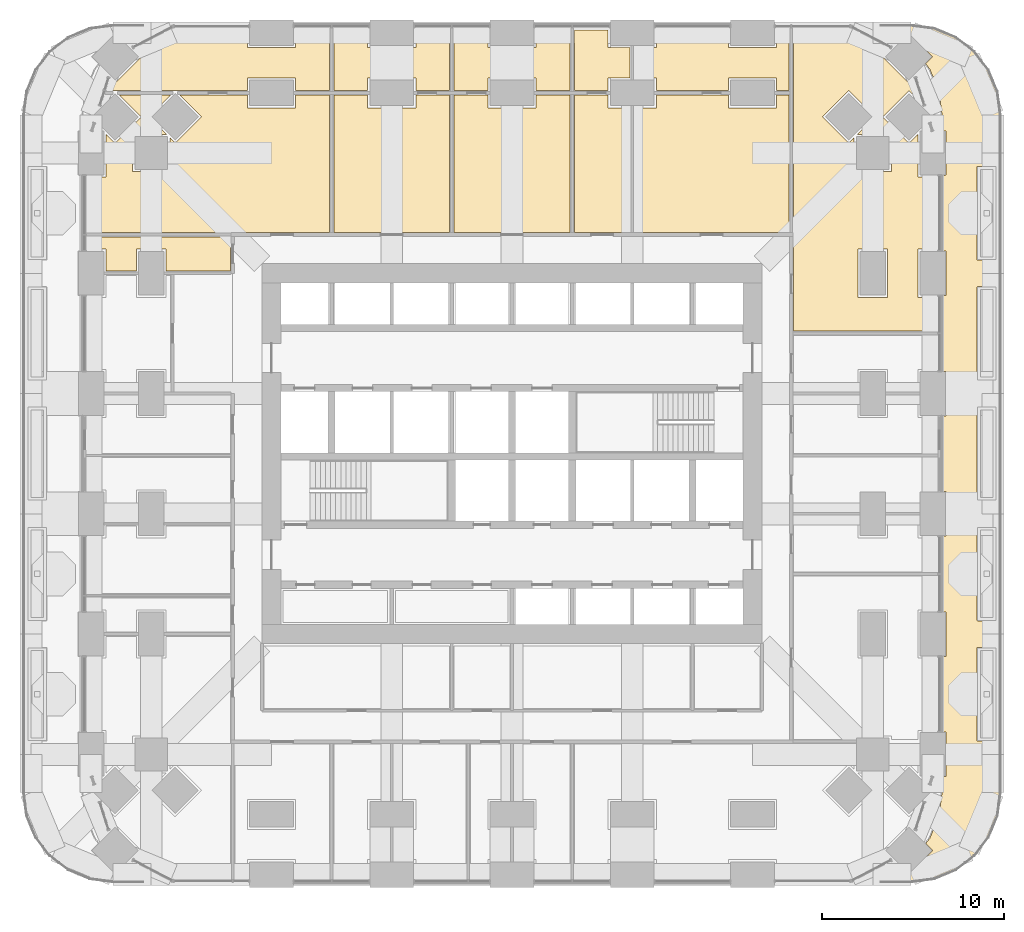
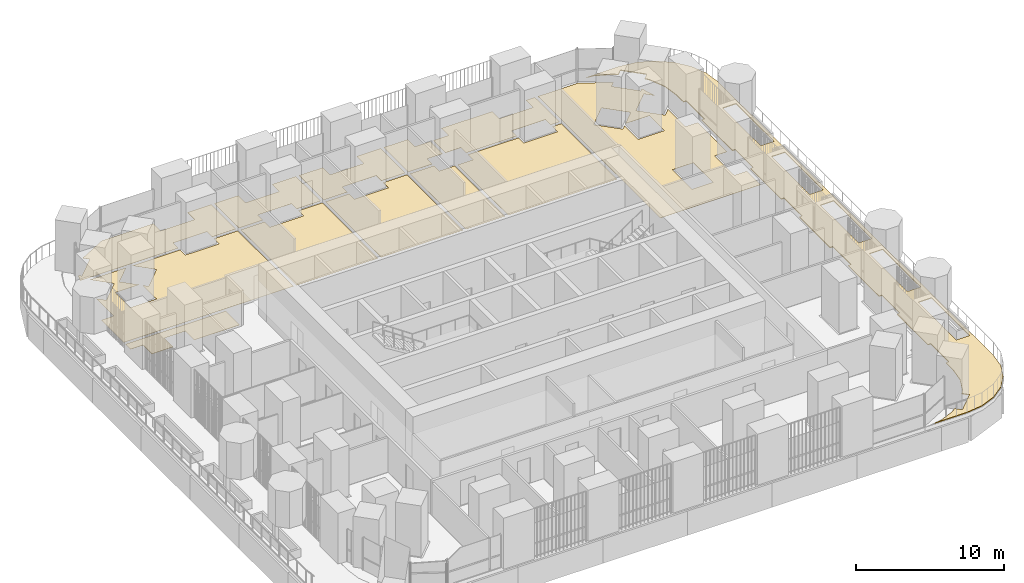
# One storey, part 26 of 27: 13 coverings.
"""IFC4 building model written with IfcOpenShell, lengths in metres."""

from ifc_helpers import new_model, si_unit, direction, frame, origin, place, context, subcontext, project, spatial, polyline, outline, extrude, material, layer, layer_set, type_object, element, save


model = new_model("IFC4")

# Units and contexts
model_context = context("Model", 3, precision=1e-05, world=origin(), true_north=direction((0.0, 1.0)))
body_context = subcontext(model_context, "Body", "Model", "MODEL_VIEW")
ifc_project = project(units=[si_unit("LENGTHUNIT", "METRE"), si_unit("AREAUNIT", "SQUARE_METRE"), si_unit("VOLUMEUNIT", "CUBIC_METRE"), si_unit("PLANEANGLEUNIT", "RADIAN"), si_unit("MASSUNIT", "GRAM", prefix="KILO")], contexts=[model_context])

# Site, building, storey
site_placement = place(None, origin())
site = spatial("IfcSite", under=ifc_project, at=site_placement, CompositionType="ELEMENT")
building_placement = place(site_placement, origin())
building = spatial("IfcBuilding", under=site, at=building_placement, Name="Cobogo Forest Laboratory Tower", CompositionType="ELEMENT")
storey_placement = place(building_placement, frame((0.0, 0.0, 82.199951171875)))
storey = spatial("IfcBuildingStorey", under=building, at=storey_placement, Name="L18", CompositionType="ELEMENT", Elevation=82.199951171875)

# Coverings
ifc_material_1 = material(Name="Carpet tile on raised access floor", Category="flooring")
ifc_layer_1 = layer(ifc_material_1, 0.008056640625)
ifc_layer_set_1 = layer_set([ifc_layer_1], Name="CT1 carpet tile floor 8")
covering_type_1 = type_object("IfcCoveringType", Name="CT1 carpet tile floor 8", PredefinedType="FLOORING", material=ifc_layer_set_1)
covering_1_placement = place(storey_placement, origin())
element("IfcCovering", 1, at=covering_1_placement, inside=storey, type_object=covering_type_1, Name="Carpet floor L18-16", PredefinedType="FLOORING", context=body_context, shape_type="SweptSolid", body=[
    extrude(outline(polyline([(41.844970703125, 46.35009765625), (44.95068359375, 46.35009765625), (47.08740234375, 45.22998046875), (46.739501953125, 44.882080078125), (48.181884765625, 43.439453125), (48.368896484375, 43.626220703125), (48.732666015625, 42.4736328125), (48.181884765625, 43.0244140625), (46.739501953125, 41.58203125), (48.181884765625, 40.139404296875), (48.679931640625, 40.637451171875), (48.679931640625, 38.280029296875), (49.64990234375, 38.280029296875), (49.64990234375, 34.320068359375), (48.679931640625, 34.320068359375), (48.679931640625, 31.679931640625), (49.64990234375, 31.679931640625), (49.64990234375, 29.820068359375), (41.844970703125, 29.820068359375), (41.844970703125, 46.35009765625)]), holes=[polyline([(43.439453125, 41.58203125), (44.882080078125, 40.139404296875), (45.179931640625, 40.4375), (45.179931640625, 38.580078125), (47.219970703125, 38.580078125), (47.219970703125, 40.6201171875), (45.362548828125, 40.6201171875), (46.324462890625, 41.58203125), (44.882080078125, 43.0244140625), (43.439453125, 41.58203125)]), polyline([(47.02001953125, 31.679931640625), (47.02001953125, 34.320068359375), (45.3798828125, 34.320068359375), (45.3798828125, 31.679931640625), (47.02001953125, 31.679931640625)])]), origin(), (0.0, 0.0, 1.0), 0.008056640625),
])
covering_2_placement = place(storey_placement, origin())
element("IfcCovering", 2, at=covering_2_placement, inside=storey, type_object=covering_type_1, Name="Carpet floor L18-18", PredefinedType="FLOORING", context=body_context, shape_type="SweptSolid", body=[
    extrude(outline(polyline([(14.52001953125, 43.02001953125), (14.52001953125, 43.719970703125), (11.8798828125, 43.719970703125), (11.8798828125, 43.02001953125), (4.23974609375, 43.02001953125), (4.43115234375, 43.626220703125), (4.617919921875, 43.439453125), (6.060546875, 44.882080078125), (5.712646484375, 45.22998046875), (7.84912109375, 46.35009765625), (11.8798828125, 46.35009765625), (11.8798828125, 45.3798828125), (14.52001953125, 45.3798828125), (14.52001953125, 46.35009765625), (16.3798828125, 46.35009765625), (16.3798828125, 43.02001953125), (14.52001953125, 43.02001953125)])), origin(), (0.0, 0.0, 1.0), 0.008056640625),
])
covering_3_placement = place(storey_placement, origin())
element("IfcCovering", 3, at=covering_3_placement, inside=storey, type_object=covering_type_1, Name="Carpet floor L18-20", PredefinedType="FLOORING", context=body_context, shape_type="SweptSolid", body=[
    extrude(outline(polyline([(21.1201171875, 43.02001953125), (21.1201171875, 43.719970703125), (18.47998046875, 43.719970703125), (18.47998046875, 43.02001953125), (16.6201171875, 43.02001953125), (16.6201171875, 46.35009765625), (18.47998046875, 46.35009765625), (18.47998046875, 45.3798828125), (21.1201171875, 45.3798828125), (21.1201171875, 46.35009765625), (22.97998046875, 46.35009765625), (22.97998046875, 43.02001953125), (21.1201171875, 43.02001953125)])), origin(), (0.0, 0.0, 1.0), 0.008056640625),
])
covering_4_placement = place(storey_placement, origin())
element("IfcCovering", 4, at=covering_4_placement, inside=storey, type_object=covering_type_1, Name="Carpet floor L18-22", PredefinedType="FLOORING", context=body_context, shape_type="SweptSolid", body=[
    extrude(outline(polyline([(27.719970703125, 43.02001953125), (27.719970703125, 43.719970703125), (25.080078125, 43.719970703125), (25.080078125, 43.02001953125), (23.219970703125, 43.02001953125), (23.219970703125, 46.35009765625), (25.080078125, 46.35009765625), (25.080078125, 45.3798828125), (27.719970703125, 45.3798828125), (27.719970703125, 46.35009765625), (29.580078125, 46.35009765625), (29.580078125, 43.02001953125), (27.719970703125, 43.02001953125)])), origin(), (0.0, 0.0, 1.0), 0.008056640625),
])
covering_5_placement = place(storey_placement, origin())
element("IfcCovering", 5, at=covering_5_placement, inside=storey, type_object=covering_type_1, Name="Carpet floor L18-24", PredefinedType="FLOORING", context=body_context, shape_type="SweptSolid", body=[
    extrude(outline(polyline([(29.820068359375, 43.02001953125), (29.820068359375, 46.35009765625), (31.679931640625, 46.35009765625), (31.679931640625, 45.3798828125), (32.8798828125, 45.3798828125), (32.8798828125, 43.719970703125), (31.679931640625, 43.719970703125), (31.679931640625, 43.02001953125), (29.820068359375, 43.02001953125)])), origin(), (0.0, 0.0, 1.0), 0.008056640625),
])
covering_6_placement = place(storey_placement, origin())
element("IfcCovering", 6, at=covering_6_placement, inside=storey, type_object=covering_type_1, Name="Carpet floor L18-26", PredefinedType="FLOORING", context=body_context, shape_type="SweptSolid", body=[
    extrude(outline(polyline([(40.919921875, 43.02001953125), (40.919921875, 43.719970703125), (38.280029296875, 43.719970703125), (38.280029296875, 43.02001953125), (34.320068359375, 43.02001953125), (34.320068359375, 43.719970703125), (33.1201171875, 43.719970703125), (33.1201171875, 45.3798828125), (34.320068359375, 45.3798828125), (34.320068359375, 46.35009765625), (38.280029296875, 46.35009765625), (38.280029296875, 45.3798828125), (40.919921875, 45.3798828125), (40.919921875, 46.35009765625), (41.60498046875, 46.35009765625), (41.60498046875, 43.02001953125), (40.919921875, 43.02001953125)])), origin(), (0.0, 0.0, 1.0), 0.008056640625),
])
covering_7_placement = place(storey_placement, origin())
element("IfcCovering", 7, at=covering_7_placement, inside=storey, type_object=covering_type_1, Name="Carpet floor L18-33", PredefinedType="FLOORING", context=body_context, shape_type="SweptSolid", body=[
    extrude(outline(polyline([(10.955078125, 33.1201171875), (7.419921875, 33.1201171875), (7.419921875, 34.320068359375), (5.780029296875, 34.320068359375), (5.780029296875, 33.1201171875), (4.1201171875, 33.1201171875), (4.1201171875, 34.320068359375), (3.14990234375, 34.320068359375), (3.14990234375, 35.0048828125), (10.955078125, 35.0048828125), (10.955078125, 33.1201171875)])), origin(), (0.0, 0.0, 1.0), 0.008056640625),
])
ifc_material_2 = material(Name="Epoxy resin flooring", Category="flooring")
ifc_layer_2 = layer(ifc_material_2, 0.00390625)
ifc_layer_set_2 = layer_set([ifc_layer_2], Name="LF1 epoxy laboratory floor 4")
covering_type_2 = type_object("IfcCoveringType", Name="LF1 epoxy laboratory floor 4", PredefinedType="FLOORING", material=ifc_layer_set_2)
covering_8_placement = place(storey_placement, origin())
element("IfcCovering", 8, at=covering_8_placement, inside=storey, type_object=covering_type_2, Name="Epoxy laboratory floor L18-17", PredefinedType="FLOORING", context=body_context, shape_type="SweptSolid", body=[
    extrude(outline(polyline([(4.1201171875, 40.637451171875), (4.617919921875, 40.139404296875), (6.060546875, 41.58203125), (4.862548828125, 42.780029296875), (7.673583984375, 42.780029296875), (6.4755859375, 41.58203125), (7.4375, 40.6201171875), (5.580078125, 40.6201171875), (5.580078125, 38.580078125), (7.6201171875, 38.580078125), (7.6201171875, 40.4375), (7.91796875, 40.139404296875), (9.360595703125, 41.58203125), (8.16259765625, 42.780029296875), (11.8798828125, 42.780029296875), (11.8798828125, 42.080078125), (14.52001953125, 42.080078125), (14.52001953125, 42.780029296875), (16.3798828125, 42.780029296875), (16.3798828125, 35.2451171875), (3.14990234375, 35.2451171875), (3.14990234375, 38.280029296875), (4.1201171875, 38.280029296875), (4.1201171875, 40.637451171875)])), origin(), (0.0, 0.0, 1.0), 0.004150390625),
])
covering_9_placement = place(storey_placement, origin())
element("IfcCovering", 9, at=covering_9_placement, inside=storey, type_object=covering_type_2, Name="Epoxy laboratory floor L18-19", PredefinedType="FLOORING", context=body_context, shape_type="SweptSolid", body=[
    extrude(outline(polyline([(16.6201171875, 42.780029296875), (18.47998046875, 42.780029296875), (18.47998046875, 42.080078125), (21.1201171875, 42.080078125), (21.1201171875, 42.780029296875), (22.97998046875, 42.780029296875), (22.97998046875, 35.2451171875), (16.6201171875, 35.2451171875), (16.6201171875, 42.780029296875)])), origin(), (0.0, 0.0, 1.0), 0.004150390625),
])
covering_10_placement = place(storey_placement, origin())
element("IfcCovering", 10, at=covering_10_placement, inside=storey, type_object=covering_type_2, Name="Epoxy laboratory floor L18-21", PredefinedType="FLOORING", context=body_context, shape_type="SweptSolid", body=[
    extrude(outline(polyline([(23.219970703125, 42.780029296875), (25.080078125, 42.780029296875), (25.080078125, 42.080078125), (27.719970703125, 42.080078125), (27.719970703125, 42.780029296875), (29.580078125, 42.780029296875), (29.580078125, 35.2451171875), (23.219970703125, 35.2451171875), (23.219970703125, 42.780029296875)])), origin(), (0.0, 0.0, 1.0), 0.004150390625),
])
covering_11_placement = place(storey_placement, origin())
element("IfcCovering", 11, at=covering_11_placement, inside=storey, type_object=covering_type_2, Name="Epoxy laboratory floor L18-23", PredefinedType="FLOORING", context=body_context, shape_type="SweptSolid", body=[
    extrude(outline(polyline([(29.820068359375, 42.780029296875), (31.679931640625, 42.780029296875), (31.679931640625, 42.080078125), (32.8798828125, 42.080078125), (32.8798828125, 35.2451171875), (29.820068359375, 35.2451171875), (29.820068359375, 42.780029296875)])), origin(), (0.0, 0.0, 1.0), 0.004150390625),
])
covering_12_placement = place(storey_placement, origin())
element("IfcCovering", 12, at=covering_12_placement, inside=storey, type_object=covering_type_2, Name="Epoxy laboratory floor L18-25", PredefinedType="FLOORING", context=body_context, shape_type="SweptSolid", body=[
    extrude(outline(polyline([(33.1201171875, 42.080078125), (34.320068359375, 42.080078125), (34.320068359375, 42.780029296875), (38.280029296875, 42.780029296875), (38.280029296875, 42.080078125), (40.919921875, 42.080078125), (40.919921875, 42.780029296875), (41.60498046875, 42.780029296875), (41.60498046875, 35.2451171875), (33.1201171875, 35.2451171875), (33.1201171875, 42.080078125)])), origin(), (0.0, 0.0, 1.0), 0.004150390625),
])
ifc_material_3 = material(Name="Bituminous waterproofing, protection board and paving", Category="roofing")
ifc_layer_3 = layer(ifc_material_3, 0.06005859375)
ifc_layer_set_3 = layer_set([ifc_layer_3], Name="RF1 terrace and roof garden build-up 60")
covering_type_3 = type_object("IfcCoveringType", Name="RF1 terrace and roof garden build-up 60", PredefinedType="ROOFING", material=ifc_layer_set_3)
covering_13_placement = place(storey_placement, origin())
element("IfcCovering", 13, at=covering_13_placement, inside=storey, type_object=covering_type_3, Name="Terrace build-up TER-E L18", PredefinedType="ROOFING", context=body_context, shape_type="SweptSolid", body=[
    extrude(outline(polyline([(49.568115234375, 46.4326171875), (50.749755859375, 45.943115234375), (51.764404296875, 45.16455078125), (52.543212890625, 44.14990234375), (53.03271484375, 42.968017578125), (53.199951171875, 41.69677734375), (53.199951171875, 4.503173828125), (53.03271484375, 3.23193359375), (52.543212890625, 2.05029296875), (51.764404296875, 1.035400390625), (50.749755859375, 0.2568359375), (49.568115234375, -0.232666015625), (48.296630859375, -0.39990234375), (45.762939453125, -0.39990234375), (46.294189453125, -0.330078125), (47.500244140625, 0.16943359375), (47.799560546875, 0.399169921875), (48.167724609375, 0.031005859375), (48.177978515625, 0.025634765625), (48.189697265625, 0.02685546875), (48.196044921875, 0.031005859375), (49.47021484375, 1.305419921875), (49.473876953125, 1.312255859375), (49.474609375, 1.320068359375), (49.47314453125, 1.32568359375), (49.468994140625, 1.332275390625), (49.100830078125, 1.700439453125), (49.33056640625, 1.999755859375), (49.830078125, 3.205810546875), (50.0, 4.496826171875), (50.0, 5.3798828125), (50.201904296875, 5.380126953125), (50.20947265625, 5.38232421875), (50.214111328125, 5.3857421875), (50.218505859375, 5.392333984375), (50.219970703125, 5.39794921875), (50.219970703125, 7.802001953125), (50.218505859375, 7.8076171875), (50.214111328125, 7.814208984375), (50.20947265625, 7.817626953125), (50.201904296875, 7.81982421875), (50.0, 7.820068359375), (50.0, 11.97998046875), (50.201904296875, 11.97998046875), (50.20947265625, 11.982421875), (50.215576171875, 11.9873046875), (50.218505859375, 11.992431640625), (50.219970703125, 12.0), (50.219970703125, 14.40185546875), (50.218505859375, 14.40771484375), (50.214111328125, 14.4140625), (50.20947265625, 14.417724609375), (50.201904296875, 14.419921875), (50.0, 14.419921875), (50.0, 18.580078125), (50.201904296875, 18.580078125), (50.20947265625, 18.582275390625), (50.215576171875, 18.58740234375), (50.218505859375, 18.59228515625), (50.219970703125, 18.60009765625), (50.219970703125, 21.001953125), (50.217529296875, 21.009521484375), (50.214111328125, 21.01416015625), (50.20947265625, 21.017578125), (50.201904296875, 21.02001953125), (50.0, 21.02001953125), (50.0, 25.179931640625), (50.201904296875, 25.18017578125), (50.20947265625, 25.182373046875), (50.215576171875, 25.187255859375), (50.218505859375, 25.1923828125), (50.219970703125, 25.199951171875), (50.219970703125, 27.60205078125), (50.217529296875, 27.609375), (50.214111328125, 27.6142578125), (50.20947265625, 27.61767578125), (50.201904296875, 27.619873046875), (50.0, 27.6201171875), (50.0, 31.780029296875), (50.201904296875, 31.780029296875), (50.20947265625, 31.782470703125), (50.215576171875, 31.787353515625), (50.218505859375, 31.792236328125), (50.219970703125, 31.800048828125), (50.219970703125, 34.201904296875), (50.217529296875, 34.20947265625), (50.214111328125, 34.214111328125), (50.20947265625, 34.217529296875), (50.201904296875, 34.219970703125), (50.0, 34.219970703125), (50.0, 38.3798828125), (50.201904296875, 38.380126953125), (50.20947265625, 38.38232421875), (50.214111328125, 38.3857421875), (50.217529296875, 38.390625), (50.219970703125, 38.39794921875), (50.219970703125, 40.802001953125), (50.217529296875, 40.809326171875), (50.214111328125, 40.814208984375), (50.20947265625, 40.817626953125), (50.201904296875, 40.81982421875), (50.0, 40.820068359375), (50.0, 41.703369140625), (49.830078125, 42.994140625), (49.33056640625, 44.2001953125), (49.100830078125, 44.499755859375), (49.468994140625, 44.867919921875), (49.472412109375, 44.87255859375), (49.474609375, 44.880126953125), (49.473876953125, 44.8876953125), (49.47021484375, 44.894775390625), (48.196044921875, 46.1689453125), (48.189697265625, 46.17333984375), (48.177978515625, 46.17431640625), (48.167724609375, 46.1689453125), (47.799560546875, 45.80078125), (47.500244140625, 46.030517578125), (46.294189453125, 46.530029296875), (45.762939453125, 46.60009765625), (48.296630859375, 46.60009765625), (49.568115234375, 46.4326171875)]), holes=[polyline([(51.931640625, 12.457763671875), (51.929931640625, 12.449951171875), (51.930419921875, 7.34619140625), (51.933349609375, 7.3388671875), (51.937255859375, 7.33447265625), (51.944091796875, 7.330810546875), (51.949951171875, 7.330078125), (52.953857421875, 7.330322265625), (52.95947265625, 7.332275390625), (52.965576171875, 7.33740234375), (52.968505859375, 7.34228515625), (52.969970703125, 7.35009765625), (52.9697265625, 12.453857421875), (52.966552734375, 12.461181640625), (52.962646484375, 12.465576171875), (52.955810546875, 12.46923828125), (52.949951171875, 12.469970703125), (51.949951171875, 12.469970703125), (51.93896484375, 12.466552734375), (51.931640625, 12.457763671875)]), polyline([(51.931640625, 19.0576171875), (51.929931640625, 19.050048828125), (51.930419921875, 13.946044921875), (51.933349609375, 13.93896484375), (51.937255859375, 13.9345703125), (51.944091796875, 13.930908203125), (51.949951171875, 13.929931640625), (52.953857421875, 13.930419921875), (52.95947265625, 13.932373046875), (52.965576171875, 13.937255859375), (52.968505859375, 13.9423828125), (52.969970703125, 13.949951171875), (52.9697265625, 19.053955078125), (52.966552734375, 19.06103515625), (52.962646484375, 19.0654296875), (52.955810546875, 19.069091796875), (52.949951171875, 19.070068359375), (51.949951171875, 19.070068359375), (51.93896484375, 19.066650390625), (51.931640625, 19.0576171875)]), polyline([(51.931640625, 25.65771484375), (51.929931640625, 25.64990234375), (51.930419921875, 20.546142578125), (51.933349609375, 20.538818359375), (51.937255859375, 20.534423828125), (51.944091796875, 20.53076171875), (51.949951171875, 20.530029296875), (52.953857421875, 20.5302734375), (52.95947265625, 20.532470703125), (52.965576171875, 20.537353515625), (52.968505859375, 20.542236328125), (52.969970703125, 20.550048828125), (52.9697265625, 25.65380859375), (52.966552734375, 25.6611328125), (52.962646484375, 25.66552734375), (52.955810546875, 25.669189453125), (52.949951171875, 25.669921875), (51.949951171875, 25.669921875), (51.93896484375, 25.666748046875), (51.931640625, 25.65771484375)]), polyline([(51.931640625, 32.257568359375), (51.929931640625, 32.25), (51.930419921875, 27.14599609375), (51.933349609375, 27.138916015625), (51.937255859375, 27.134521484375), (51.944091796875, 27.130859375), (51.949951171875, 27.1298828125), (52.953857421875, 27.13037109375), (52.95947265625, 27.13232421875), (52.965576171875, 27.13720703125), (52.968505859375, 27.142333984375), (52.969970703125, 27.14990234375), (52.9697265625, 32.25390625), (52.967529296875, 32.259521484375), (52.962646484375, 32.265380859375), (52.957763671875, 32.2685546875), (52.949951171875, 32.27001953125), (51.949951171875, 32.27001953125), (51.93896484375, 32.2666015625), (51.931640625, 32.257568359375)]), polyline([(51.931640625, 38.857666015625), (51.929931640625, 38.85009765625), (51.930419921875, 33.74609375), (51.932373046875, 33.740478515625), (51.937255859375, 33.734619140625), (51.9423828125, 33.7314453125), (51.949951171875, 33.72998046875), (52.953857421875, 33.73046875), (52.95947265625, 33.732421875), (52.965576171875, 33.7373046875), (52.968505859375, 33.742431640625), (52.969970703125, 33.75), (52.9697265625, 38.85400390625), (52.967529296875, 38.859375), (52.962646484375, 38.865478515625), (52.957763671875, 38.868408203125), (52.949951171875, 38.8701171875), (51.949951171875, 38.8701171875), (51.93896484375, 38.86669921875), (51.931640625, 38.857666015625)])]), origin(), (0.0, 0.0, 1.0), 0.06005859375),
])

save(model, "model.ifc")
